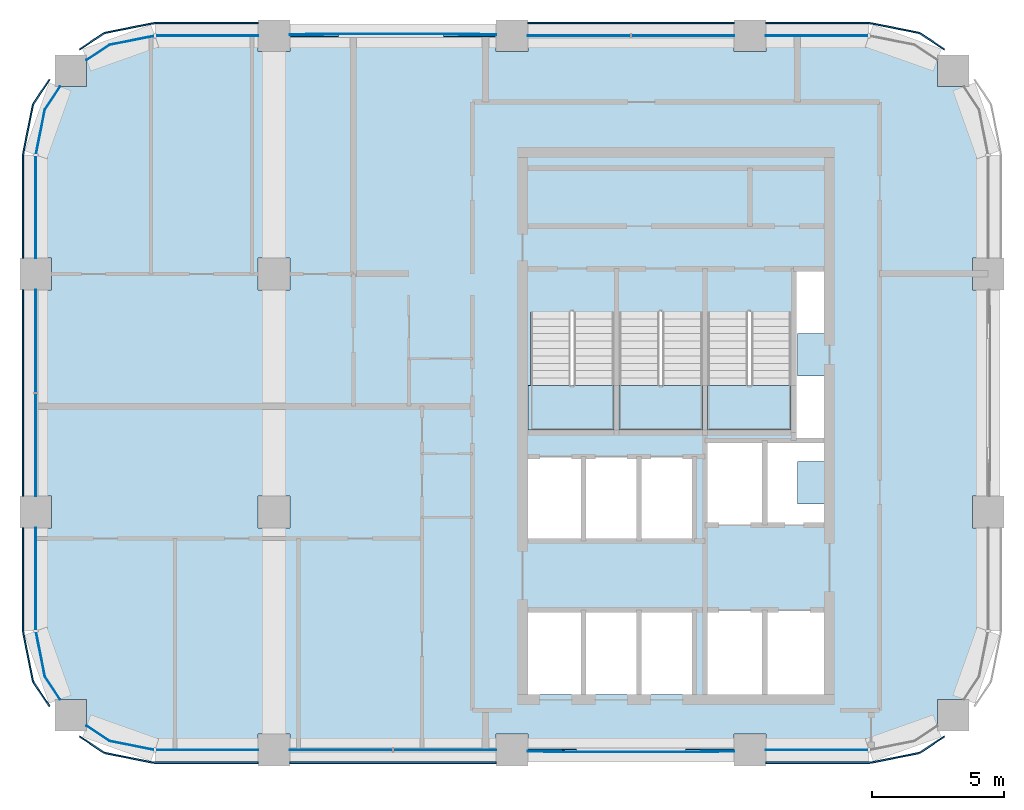
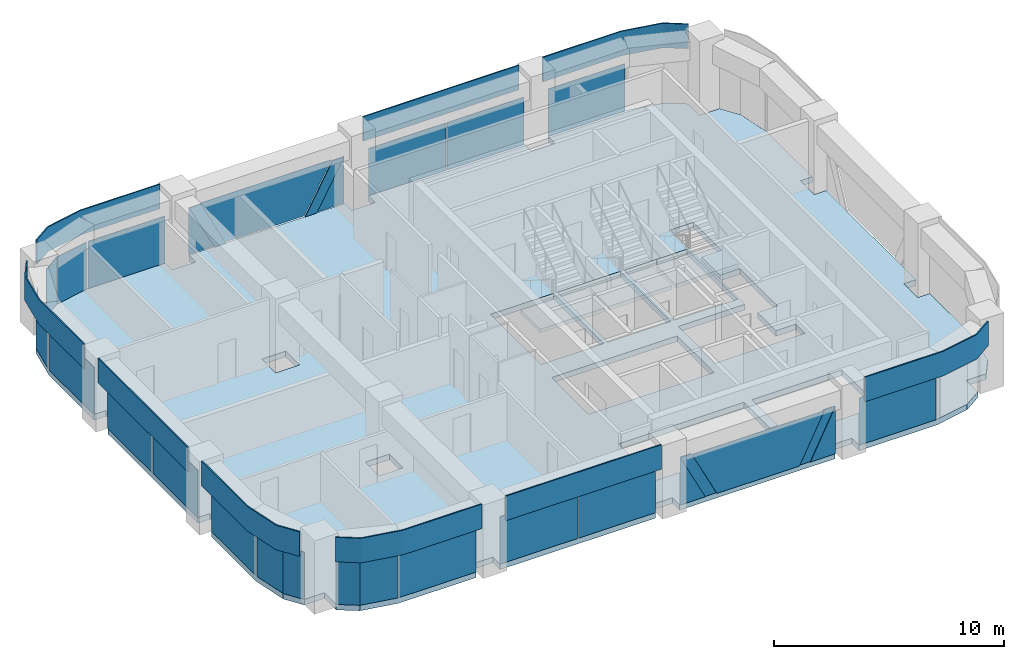
# One storey, part 5 of 9: 35 plates, 4 slabs, 14 elements without a shape of their own.
"""IFC4 building model written with IfcOpenShell, lengths in metres."""

import ifcopenshell
import ifcopenshell.guid

model = None  # the IFC model being written
_history = None  # IfcOwnerHistory: only IFC2X3 demands one
_inside = {}  # id of a spatial element -> (the spatial element, [elements in it])
_under = {}  # id of a project, library or spatial element -> (it, [spatial elements below it])
_declared = {}  # id of a project -> (the project, [libraries it declares])
_typed = {}  # id of a type object -> (the type object, [elements of that type])
_made_of = {}  # id of a material, layer set ... -> (it, [elements and type objects made of it])


def new_model(schema):
    """Start an empty IFC model of exactly this schema.

    Asked for "IFC4X3", IfcOpenShell would pick the latest addendum, in which some entities
    have other attributes; the version numbers below select the first issue.
    IFC2X3 requires an IfcOwnerHistory on every rooted entity: one is made here for all.
    """
    global model, _history
    if schema == "IFC4X3":
        model = ifcopenshell.file(schema_version=(4, 3, 0, 0))
    else:
        model = ifcopenshell.file(schema=schema)
    _inside.clear()
    _under.clear()
    _declared.clear()
    _typed.clear()
    _made_of.clear()
    _history = None
    if model.schema == "IFC2X3":
        org = make("IfcOrganization", Name="unknown")
        user = make(
            "IfcPersonAndOrganization",
            ThePerson=make("IfcPerson", FamilyName="unknown"),
            TheOrganization=org,
        )
        app = make(
            "IfcApplication",
            ApplicationDeveloper=org,
            Version="unknown",
            ApplicationFullName="unknown",
            ApplicationIdentifier="unknown",
        )
        _history = make(
            "IfcOwnerHistory",
            OwningUser=user,
            OwningApplication=app,
            ChangeAction="ADDED",
            CreationDate=0,
        )
    return model


def make(cls, **values):
    """One entity of the class cls with the attributes given. An attribute that is None is left unset."""
    return model.create_entity(
        cls, **{name: value for name, value in values.items() if value is not None}
    )


def rooted(cls, **values):
    """An entity with a GlobalId (a new one), such as an element, a storey or a relation."""
    return make(cls, GlobalId=ifcopenshell.guid.new(), OwnerHistory=_history, **values)


def si_unit(unit_type, name, prefix=None):
    """IfcSIUnit, for example si_unit("LENGTHUNIT", "METRE", prefix="MILLI")."""
    return make("IfcSIUnit", UnitType=unit_type, Prefix=prefix, Name=name)


def assignment(units):
    """IfcUnitAssignment: the units of a project."""
    return None if units is None else make("IfcUnitAssignment", Units=units)


def point(xyz):
    """IfcCartesianPoint."""
    return None if xyz is None else make("IfcCartesianPoint", Coordinates=xyz)


def direction(xyz):
    """IfcDirection."""
    return None if xyz is None else make("IfcDirection", DirectionRatios=xyz)


def frame(location, z_axis=None, x_axis=None):
    """IfcAxis2Placement3D, a coordinate frame: its origin and axes. An axis left out is left unset."""
    return make(
        "IfcAxis2Placement3D",
        Location=point(location),
        Axis=direction(z_axis),
        RefDirection=direction(x_axis),
    )


def frame_2d(location, x_axis=None):
    """IfcAxis2Placement2D, a coordinate frame in the plane: its origin and x axis."""
    return make(
        "IfcAxis2Placement2D", Location=point(location), RefDirection=direction(x_axis)
    )


def origin():
    """The frame at (0, 0, 0) with its axes left unset."""
    return frame((0.0, 0.0, 0.0))


def origin_2d():
    """The frame at (0, 0) in the plane with its x axis left unset."""
    return frame_2d((0.0, 0.0))


def place(relative_to, where):
    """IfcLocalPlacement: puts the frame where relative to a parent placement (None: the world)."""
    return make(
        "IfcLocalPlacement", PlacementRelTo=relative_to, RelativePlacement=where
    )


def context(
    kind, dimensions, precision=None, world=None, true_north=None, identifier=None
):
    """IfcGeometricRepresentationContext, for example the 3D "Model" context."""
    return make(
        "IfcGeometricRepresentationContext",
        ContextIdentifier=identifier,
        ContextType=kind,
        CoordinateSpaceDimension=dimensions,
        Precision=precision,
        WorldCoordinateSystem=world,
        TrueNorth=true_north,
    )


def subcontext(parent, identifier, kind, view, scale=None):
    """IfcGeometricRepresentationSubContext, for example "Body" below "Model"."""
    return make(
        "IfcGeometricRepresentationSubContext",
        ContextIdentifier=identifier,
        ContextType=kind,
        ParentContext=parent,
        TargetScale=scale,
        TargetView=view,
    )


def project(units=None, contexts=None):
    """IfcProject with its units and contexts."""
    return rooted(
        "IfcProject",
        Name="project",
        RepresentationContexts=contexts,
        UnitsInContext=assignment(units),
    )


def spatial(cls, under=None, at=None, **own):
    """A site, building, storey or space (cls), placed at a placement, below another one or the project."""
    s = rooted(cls, ObjectPlacement=at, **own)
    if under is not None:
        _under.setdefault(under.id(), (under, []))[1].append(s)
    return s


def polyline(points):
    """IfcPolyline through the points."""
    return make("IfcPolyline", Points=[point(p) for p in points])


def profile(cls, at=None, kind="AREA", **sizes):
    """A parametric profile (cls). Its sizes go by their IFC names, for example OverallWidth=200.0."""
    return make(cls, ProfileType=kind, Position=at, **sizes)


def rectangle(**sizes):
    """IfcRectangleProfileDef."""
    return profile("IfcRectangleProfileDef", **sizes)


def outline(outer, holes=None, kind="AREA"):
    """IfcArbitraryClosedProfileDef: a profile drawn as a closed curve; with holes, ...WithVoids."""
    if holes is None:
        return make("IfcArbitraryClosedProfileDef", ProfileType=kind, OuterCurve=outer)
    return make(
        "IfcArbitraryProfileDefWithVoids",
        ProfileType=kind,
        OuterCurve=outer,
        InnerCurves=holes,
    )


def extrude(swept, where, along, depth):
    """IfcExtrudedAreaSolid: the profile swept, set in the frame where, extruded along a direction by depth."""
    return make(
        "IfcExtrudedAreaSolid",
        SweptArea=swept,
        Position=where,
        ExtrudedDirection=direction(along),
        Depth=depth,
    )


def shape(context_of_items, identifier, shape_type, items):
    """IfcShapeRepresentation: the items that make up one representation, for example the "Body"."""
    return make(
        "IfcShapeRepresentation",
        ContextOfItems=context_of_items,
        RepresentationIdentifier=identifier,
        RepresentationType=shape_type,
        Items=items,
    )


def material(Name=None, Category=None):
    """IfcMaterial."""
    return make("IfcMaterial", Name=Name, Category=Category)


def layer(
    of_material, thickness, ventilated=None, Name=None, Category=None, Priority=None
):
    """IfcMaterialLayer: one layer of a wall or slab, of a material (None: an air gap)."""
    return make(
        "IfcMaterialLayer",
        Material=of_material,
        LayerThickness=thickness,
        IsVentilated=ventilated,
        Name=Name,
        Category=Category,
        Priority=Priority,
    )


def layer_set(layers, Name=None):
    """IfcMaterialLayerSet."""
    return make("IfcMaterialLayerSet", MaterialLayers=layers, LayerSetName=Name)


def made_of(thing, what):
    """Note that an element or type object is made of a material, layer set ...; save() writes the relation."""
    if what is not None:
        _made_of.setdefault(what.id(), (what, []))[1].append(thing)
    return thing


def type_object(cls, material=None, **own):
    """A type object (cls), such as IfcWallType, which elements share."""
    return made_of(rooted(cls, **own), material)


def element(
    cls,
    number,
    at=None,
    inside=None,
    cuts=None,
    type_object=None,
    material=None,
    context=None,
    identifier="Body",
    shape_type=None,
    held_by="IfcProductDefinitionShape",
    body=None,
    shapes=None,
    **own,
):
    """One element of the class cls, such as IfcWall. Its Tag is "e" and its number.

    at: its placement. inside: the storey or other place that contains it. cuts: it is an
    opening in that element (IfcRelVoidsElement). A single representation is given by context,
    identifier, shape_type and body (its items); several are given by shapes. held_by: the class
    of the entity that holds the representations. save() writes the other relations.
    """
    e = rooted(cls, Tag="e%d" % number, ObjectPlacement=at, **own)
    if body is not None:
        shapes = [shape(context, identifier, shape_type, body)]
    if shapes is not None:
        e.Representation = make(held_by, Representations=shapes)
    if inside is not None:
        _inside.setdefault(inside.id(), (inside, []))[1].append(e)
    if cuts is not None:
        rooted(
            "IfcRelVoidsElement", RelatingBuildingElement=cuts, RelatedOpeningElement=e
        )
    if type_object is not None:
        _typed.setdefault(type_object.id(), (type_object, []))[1].append(e)
    return made_of(e, material)


def aggregate(whole, parts):
    """IfcRelAggregates: a whole, such as a stair, and the parts it consists of."""
    return rooted("IfcRelAggregates", RelatingObject=whole, RelatedObjects=parts)


def save(model, path):
    """Write the relations noted so far, then the file.

    IfcRelAggregates (storeys below a building ...), IfcRelContainedInSpatialStructure (elements
    in a storey), IfcRelDefinesByType, IfcRelAssociatesMaterial and IfcRelDeclares: one each for
    every whole, place, type object, material and project.
    """
    for whole, parts in _under.values():
        aggregate(whole, parts)
    for where, things in _inside.values():
        rooted(
            "IfcRelContainedInSpatialStructure",
            RelatedElements=things,
            RelatingStructure=where,
        )
    for kind, things in _typed.values():
        rooted("IfcRelDefinesByType", RelatedObjects=things, RelatingType=kind)
    for what, things in _made_of.values():
        rooted("IfcRelAssociatesMaterial", RelatedObjects=things, RelatingMaterial=what)
    for by, libraries in _declared.values():
        rooted("IfcRelDeclares", RelatingContext=by, RelatedDefinitions=libraries)
    model.write(path)


model = new_model("IFC4")

# Units and contexts
model_context = context("Model", 3, precision=1e-05, world=origin(), true_north=direction((0.0, 1.0)))
body_context = subcontext(model_context, "Body", "Model", "MODEL_VIEW")
ifc_project = project(units=[si_unit("LENGTHUNIT", "METRE"), si_unit("AREAUNIT", "SQUARE_METRE"), si_unit("VOLUMEUNIT", "CUBIC_METRE"), si_unit("PLANEANGLEUNIT", "RADIAN"), si_unit("MASSUNIT", "GRAM", prefix="KILO")], contexts=[model_context])

# Site, building, storey
site_placement = place(None, origin())
site = spatial("IfcSite", under=ifc_project, at=site_placement, CompositionType="ELEMENT")
building_placement = place(site_placement, origin())
building = spatial("IfcBuilding", under=site, at=building_placement, Name="Tessera Arch", CompositionType="ELEMENT")
storey_placement = place(building_placement, frame((0.0, 0.0, 246.199951171875)))
storey = spatial("IfcBuildingStorey", under=building, at=storey_placement, Name="L59", CompositionType="ELEMENT", Elevation=246.199951171875)

# Curtain wall, plates
ifc_material_1 = material(Name="CW1 curtain wall")
curtain_wall_type_1 = type_object("IfcCurtainWallType", Name="CW1 curtain wall", PredefinedType="NOTDEFINED", material=ifc_material_1)
curtain_wall_1_placement = place(storey_placement, origin())
curtain_wall_1 = element("IfcCurtainWall", 1, at=curtain_wall_1_placement, inside=storey, type_object=curtain_wall_type_1, Name="CW1 curtain wall N54.18/1 L59", PredefinedType="NOTDEFINED")
ifc_material_2 = material(Name="Clear low-e glass", Category="glass")
ifc_material_3 = material(Name="Clear low-e glass", Category="glass")
ifc_layer_1 = layer(ifc_material_3, 0.028076171875)
ifc_layer_set_1 = layer_set([ifc_layer_1], Name="CW1 glass panel")
plate_type_1 = type_object("IfcPlateType", Name="CW1 glass panel", PredefinedType="CURTAIN_PANEL", material=ifc_layer_set_1)
plate_1_placement = place(storey_placement, frame((42.465087890625, 54.0, 0.0), z_axis=(0.0, 0.0, 1.0), x_axis=(-1.0, 0.0, 0.0)))
plate_1 = element("IfcPlate", 2, at=plate_1_placement, type_object=plate_type_1, material=ifc_material_2, Name="CW1 glass panel N54.18/1 1.1.1", PredefinedType="CURTAIN_PANEL", context=body_context, shape_type="SweptSolid", body=[
    extrude(rectangle(XDim=3.8701171875, YDim=0.028076171875, at=origin_2d()), origin(), (0.0, 0.0, 1.0), 2.5),
])
plate_2_placement = place(storey_placement, frame((38.534912109375, 54.0, 0.0), z_axis=(0.0, 0.0, 1.0), x_axis=(-1.0, 0.0, 0.0)))
plate_2 = element("IfcPlate", 3, at=plate_2_placement, type_object=plate_type_1, material=ifc_material_2, Name="CW1 glass panel N54.18/1 1.2.1", PredefinedType="CURTAIN_PANEL", context=body_context, shape_type="SweptSolid", body=[
    extrude(rectangle(XDim=3.8701171875, YDim=0.028076171875, at=origin_2d()), origin(), (0.0, 0.0, 1.0), 2.5),
])

curtain_wall_2_placement = place(storey_placement, origin())
curtain_wall_2 = element("IfcCurtainWall", 4, at=curtain_wall_2_placement, inside=storey, type_object=curtain_wall_type_1, Name="CW1 curtain wall W18.27/1 L59", PredefinedType="NOTDEFINED")
plate_3_placement = place(storey_placement, frame((18.0, 42.465087890625, 0.0), z_axis=(0.0, 0.0, 1.0), x_axis=(0.0, -1.0, 0.0)))
plate_3 = element("IfcPlate", 5, at=plate_3_placement, type_object=plate_type_1, material=ifc_material_2, Name="CW1 glass panel W18.27/1 1.1.1", PredefinedType="CURTAIN_PANEL", context=body_context, shape_type="SweptSolid", body=[
    extrude(rectangle(XDim=3.8701171875, YDim=0.028076171875, at=origin_2d()), origin(), (0.0, 0.0, 1.0), 2.5),
])
plate_4_placement = place(storey_placement, frame((18.0, 38.534912109375, 0.0), z_axis=(0.0, 0.0, 1.0), x_axis=(0.0, -1.0, 0.0)))
plate_4 = element("IfcPlate", 6, at=plate_4_placement, type_object=plate_type_1, material=ifc_material_2, Name="CW1 glass panel W18.27/1 1.2.1", PredefinedType="CURTAIN_PANEL", context=body_context, shape_type="SweptSolid", body=[
    extrude(rectangle(XDim=3.8701171875, YDim=0.028076171875, at=origin_2d()), origin(), (0.0, 0.0, 1.0), 2.5),
])

curtain_wall_3_placement = place(storey_placement, origin())
curtain_wall_3 = element("IfcCurtainWall", 7, at=curtain_wall_3_placement, inside=storey, type_object=curtain_wall_type_1, Name="CW1 curtain wall S27.18/1 L59", PredefinedType="NOTDEFINED")
plate_5_placement = place(storey_placement, frame((29.534912109375, 27.0, 0.0), z_axis=(0.0, 0.0, 1.0), x_axis=(1.0, 0.0, 0.0)))
plate_5 = element("IfcPlate", 8, at=plate_5_placement, type_object=plate_type_1, material=ifc_material_2, Name="CW1 glass panel S27.18/1 1.1.1", PredefinedType="CURTAIN_PANEL", context=body_context, shape_type="SweptSolid", body=[
    extrude(rectangle(XDim=3.8701171875, YDim=0.028076171875, at=origin_2d()), origin(), (0.0, 0.0, 1.0), 2.5),
])
plate_6_placement = place(storey_placement, frame((33.465087890625, 27.0, 0.0), z_axis=(0.0, 0.0, 1.0), x_axis=(1.0, 0.0, 0.0)))
plate_6 = element("IfcPlate", 9, at=plate_6_placement, type_object=plate_type_1, material=ifc_material_2, Name="CW1 glass panel S27.18/1 1.2.1", PredefinedType="CURTAIN_PANEL", context=body_context, shape_type="SweptSolid", body=[
    extrude(rectangle(XDim=3.8701171875, YDim=0.028076171875, at=origin_2d()), origin(), (0.0, 0.0, 1.0), 2.5),
])

# Plate
ifc_material_4 = material(Name="Pale anodised aluminium panel", Category="aluminium")
ifc_layer_2 = layer(ifc_material_4, 0.06005859375)
ifc_layer_set_2 = layer_set([ifc_layer_2], Name="CW1 spandrel panel")
plate_type_2 = type_object("IfcPlateType", Name="CW1 spandrel panel", PredefinedType="CURTAIN_PANEL", material=ifc_layer_set_2)
plate_7_placement = place(storey_placement, frame((40.5, 54.47998046875, 2.60009765625), z_axis=(0.0, 0.0, 1.0), x_axis=(-1.0, 0.0, 0.0)))
plate_7 = element("IfcPlate", 10, at=plate_7_placement, type_object=plate_type_2, Name="CW1 spandrel panel N54.18/1", PredefinedType="CURTAIN_PANEL", context=body_context, shape_type="SweptSolid", body=[
    extrude(rectangle(XDim=7.800048828125, YDim=0.06005859375, at=origin_2d()), origin(), (0.0, 0.0, 1.0), 1.300048828125),
])

aggregate(curtain_wall_1, [plate_1, plate_2, plate_7])

plate_8_placement = place(storey_placement, frame((17.52001953125, 40.5, 2.60009765625), z_axis=(0.0, 0.0, 1.0), x_axis=(0.0, -1.0, 0.0)))
plate_8 = element("IfcPlate", 11, at=plate_8_placement, type_object=plate_type_2, Name="CW1 spandrel panel W18.27/1", PredefinedType="CURTAIN_PANEL", context=body_context, shape_type="SweptSolid", body=[
    extrude(rectangle(XDim=7.800048828125, YDim=0.06005859375, at=origin_2d()), origin(), (0.0, 0.0, 1.0), 1.300048828125),
])

aggregate(curtain_wall_2, [plate_3, plate_4, plate_8])

plate_9_placement = place(storey_placement, frame((31.5, 26.52001953125, 2.60009765625), z_axis=(0.0, 0.0, 1.0), x_axis=(1.0, 0.0, 0.0)))
plate_9 = element("IfcPlate", 12, at=plate_9_placement, type_object=plate_type_2, Name="CW1 spandrel panel S27.18/1", PredefinedType="CURTAIN_PANEL", context=body_context, shape_type="SweptSolid", body=[
    extrude(rectangle(XDim=7.800048828125, YDim=0.06005859375, at=origin_2d()), origin(), (0.0, 0.0, 1.0), 1.300048828125),
])

aggregate(curtain_wall_3, [plate_5, plate_6, plate_9])

# Curtain wall, plate
ifc_material_5 = material(Name="CW2 curtain wall")
curtain_wall_type_2 = type_object("IfcCurtainWallType", Name="CW2 curtain wall", PredefinedType="NOTDEFINED", material=ifc_material_5)
curtain_wall_4_placement = place(storey_placement, origin())
curtain_wall_4 = element("IfcCurtainWall", 13, at=curtain_wall_4_placement, inside=storey, type_object=curtain_wall_type_2, Name="CW2 curtain wall N54.18/0 L59", PredefinedType="NOTDEFINED")
ifc_material_6 = material(Name="Clear low-e glass", Category="glass")
ifc_layer_3 = layer(ifc_material_6, 0.028076171875)
ifc_layer_set_3 = layer_set([ifc_layer_3], Name="CW2 glass panel")
plate_type_3 = type_object("IfcPlateType", Name="CW2 glass panel", PredefinedType="CURTAIN_PANEL", material=ifc_layer_set_3)
plate_10_placement = place(storey_placement, frame((47.530029296875, 54.0, 0.0), z_axis=(0.0, 0.0, 1.0), x_axis=(-1.0, 0.0, 0.0)))
plate_10 = element("IfcPlate", 14, at=plate_10_placement, type_object=plate_type_3, material=ifc_material_2, Name="CW2 glass panel N54.18/0 1.1", PredefinedType="CURTAIN_PANEL", context=body_context, shape_type="SweptSolid", body=[
    extrude(rectangle(XDim=3.860107421875, YDim=0.028076171875, at=origin_2d()), origin(), (0.0, 0.0, 1.0), 2.5),
])

# Curtain wall, plates
curtain_wall_5_placement = place(storey_placement, origin())
curtain_wall_5 = element("IfcCurtainWall", 15, at=curtain_wall_5_placement, inside=storey, type_object=curtain_wall_type_2, Name="CW2 curtain wall N54.18/3 L59", PredefinedType="NOTDEFINED")
plate_11_placement = place(storey_placement, frame((24.469970703125, 54.0, 0.0), z_axis=(0.0, 0.0, 1.0), x_axis=(-1.0, 0.0, 0.0)))
plate_11 = element("IfcPlate", 16, at=plate_11_placement, type_object=plate_type_3, material=ifc_material_2, Name="CW2 glass panel N54.18/3 1.1", PredefinedType="CURTAIN_PANEL", context=body_context, shape_type="SweptSolid", body=[
    extrude(rectangle(XDim=3.860107421875, YDim=0.028076171875, at=origin_2d()), origin(), (0.0, 0.0, 1.0), 2.5),
])
plate_12_placement = place(storey_placement, origin())
plate_12 = element("IfcPlate", 17, at=plate_12_placement, type_object=plate_type_3, material=ifc_material_2, Name="CW2 curved glass panel N54.18/3 2.1", PredefinedType="CURTAIN_PANEL", context=body_context, shape_type="SweptSolid", body=[
    extrude(outline(polyline([(20.783447265625, 53.644287109375), (22.46337890625, 53.978515625), (22.4580078125, 54.005859375), (20.7724609375, 53.670654296875), (19.91015625, 53.094482421875), (19.92578125, 53.0712890625), (20.783447265625, 53.644287109375)])), origin(), (0.0, 0.0, 1.0), 2.5),
])

curtain_wall_6_placement = place(storey_placement, origin())
curtain_wall_6 = element("IfcCurtainWall", 18, at=curtain_wall_6_placement, inside=storey, type_object=curtain_wall_type_2, Name="CW2 curtain wall W18.27/0 L59", PredefinedType="NOTDEFINED")
plate_13_placement = place(storey_placement, frame((18.0, 47.530029296875, 0.0), z_axis=(0.0, 0.0, 1.0), x_axis=(0.0, -1.0, 0.0)))
plate_13 = element("IfcPlate", 19, at=plate_13_placement, type_object=plate_type_3, material=ifc_material_2, Name="CW2 glass panel W18.27/0 1.1", PredefinedType="CURTAIN_PANEL", context=body_context, shape_type="SweptSolid", body=[
    extrude(rectangle(XDim=3.860107421875, YDim=0.028076171875, at=origin_2d()), origin(), (0.0, 0.0, 1.0), 2.5),
])
plate_14_placement = place(storey_placement, origin())
plate_14 = element("IfcPlate", 20, at=plate_14_placement, type_object=plate_type_3, material=ifc_material_2, Name="CW2 curved glass panel W18.27/0 2.1", PredefinedType="CURTAIN_PANEL", context=body_context, shape_type="SweptSolid", body=[
    extrude(outline(polyline([(18.355712890625, 51.216552734375), (18.9287109375, 52.07421875), (18.905517578125, 52.08984375), (18.329345703125, 51.2275390625), (17.994140625, 49.5419921875), (18.021484375, 49.53662109375), (18.355712890625, 51.216552734375)])), origin(), (0.0, 0.0, 1.0), 2.5),
])

curtain_wall_7_placement = place(storey_placement, origin())
curtain_wall_7 = element("IfcCurtainWall", 21, at=curtain_wall_7_placement, inside=storey, type_object=curtain_wall_type_2, Name="CW2 curtain wall W18.27/2 L59", PredefinedType="NOTDEFINED")
plate_15_placement = place(storey_placement, frame((18.0, 33.469970703125, 0.0), z_axis=(0.0, 0.0, 1.0), x_axis=(0.0, -1.0, 0.0)))
plate_15 = element("IfcPlate", 22, at=plate_15_placement, type_object=plate_type_3, material=ifc_material_2, Name="CW2 glass panel W18.27/2 1.1", PredefinedType="CURTAIN_PANEL", context=body_context, shape_type="SweptSolid", body=[
    extrude(rectangle(XDim=3.860107421875, YDim=0.028076171875, at=origin_2d()), origin(), (0.0, 0.0, 1.0), 2.5),
])
plate_16_placement = place(storey_placement, origin())
plate_16 = element("IfcPlate", 23, at=plate_16_placement, type_object=plate_type_3, material=ifc_material_2, Name="CW2 curved glass panel W18.27/2 2.1", PredefinedType="CURTAIN_PANEL", context=body_context, shape_type="SweptSolid", body=[
    extrude(outline(polyline([(18.355712890625, 29.783447265625), (18.021484375, 31.46337890625), (17.994140625, 31.4580078125), (18.329345703125, 29.7724609375), (18.905517578125, 28.91015625), (18.9287109375, 28.92578125), (18.355712890625, 29.783447265625)])), origin(), (0.0, 0.0, 1.0), 2.5),
])

curtain_wall_8_placement = place(storey_placement, origin())
curtain_wall_8 = element("IfcCurtainWall", 24, at=curtain_wall_8_placement, inside=storey, type_object=curtain_wall_type_2, Name="CW2 curtain wall S27.18/0 L59", PredefinedType="NOTDEFINED")
plate_17_placement = place(storey_placement, frame((24.469970703125, 27.0, 0.0), z_axis=(0.0, 0.0, 1.0), x_axis=(1.0, 0.0, 0.0)))
plate_17 = element("IfcPlate", 25, at=plate_17_placement, type_object=plate_type_3, material=ifc_material_2, Name="CW2 glass panel S27.18/0 1.1", PredefinedType="CURTAIN_PANEL", context=body_context, shape_type="SweptSolid", body=[
    extrude(rectangle(XDim=3.860107421875, YDim=0.028076171875, at=origin_2d()), origin(), (0.0, 0.0, 1.0), 2.5),
])
plate_18_placement = place(storey_placement, origin())
plate_18 = element("IfcPlate", 26, at=plate_18_placement, type_object=plate_type_3, material=ifc_material_2, Name="CW2 curved glass panel S27.18/0 2.1", PredefinedType="CURTAIN_PANEL", context=body_context, shape_type="SweptSolid", body=[
    extrude(outline(polyline([(20.783447265625, 27.355712890625), (19.92578125, 27.9287109375), (19.91015625, 27.905517578125), (20.7724609375, 27.329345703125), (22.4580078125, 26.994140625), (22.46337890625, 27.021484375), (20.783447265625, 27.355712890625)])), origin(), (0.0, 0.0, 1.0), 2.5),
])

# Curtain wall, plate
curtain_wall_9_placement = place(storey_placement, origin())
curtain_wall_9 = element("IfcCurtainWall", 27, at=curtain_wall_9_placement, inside=storey, type_object=curtain_wall_type_2, Name="CW2 curtain wall S27.18/3 L59", PredefinedType="NOTDEFINED")
plate_19_placement = place(storey_placement, frame((47.530029296875, 27.0, 0.0), z_axis=(0.0, 0.0, 1.0), x_axis=(1.0, 0.0, 0.0)))
plate_19 = element("IfcPlate", 28, at=plate_19_placement, type_object=plate_type_3, material=ifc_material_2, Name="CW2 glass panel S27.18/3 1.1", PredefinedType="CURTAIN_PANEL", context=body_context, shape_type="SweptSolid", body=[
    extrude(rectangle(XDim=3.860107421875, YDim=0.028076171875, at=origin_2d()), origin(), (0.0, 0.0, 1.0), 2.5),
])

# Plate
ifc_material_7 = material(Name="Pale anodised aluminium panel", Category="aluminium")
ifc_layer_4 = layer(ifc_material_7, 0.06005859375)
ifc_layer_set_4 = layer_set([ifc_layer_4], Name="CW2 spandrel panel")
plate_type_4 = type_object("IfcPlateType", Name="CW2 spandrel panel", PredefinedType="CURTAIN_PANEL", material=ifc_layer_set_4)
plate_20_placement = place(storey_placement, frame((0.0, 0.0, 2.60009765625)))
plate_20 = element("IfcPlate", 29, at=plate_20_placement, type_object=plate_type_4, Name="CW2 spandrel panel N54.18/0", PredefinedType="CURTAIN_PANEL", context=body_context, shape_type="SweptSolid", body=[
    extrude(outline(polyline([(51.47265625, 54.03125), (52.33203125, 53.45703125), (52.365234375, 53.5068359375), (51.5048828125, 54.08203125), (51.462646484375, 54.107421875), (51.417236328125, 54.128662109375), (51.3701171875, 54.1455078125), (51.322265625, 54.157470703125), (49.598876953125, 54.500244140625), (49.550048828125, 54.507568359375), (49.500732421875, 54.510009765625), (45.60009765625, 54.510009765625), (45.60009765625, 54.449951171875), (49.499267578125, 54.449951171875), (49.544189453125, 54.44775390625), (49.588623046875, 54.441162109375), (51.30908203125, 54.09912109375), (51.352783203125, 54.088134765625), (51.394287109375, 54.0732421875), (51.434326171875, 54.054443359375), (51.47265625, 54.03125)])), origin(), (0.0, 0.0, 1.0), 1.300048828125),
])

aggregate(curtain_wall_4, [plate_10, plate_20])

plate_21_placement = place(storey_placement, frame((0.0, 0.0, 2.60009765625)))
plate_21 = element("IfcPlate", 30, at=plate_21_placement, type_object=plate_type_4, Name="CW2 spandrel panel N54.18/3", PredefinedType="CURTAIN_PANEL", context=body_context, shape_type="SweptSolid", body=[
    extrude(outline(polyline([(22.500732421875, 54.449951171875), (26.39990234375, 54.449951171875), (26.39990234375, 54.510009765625), (22.499267578125, 54.510009765625), (22.449951171875, 54.507568359375), (22.401123046875, 54.500244140625), (20.677734375, 54.157470703125), (20.6298828125, 54.1455078125), (20.582763671875, 54.128662109375), (20.537353515625, 54.107421875), (20.4951171875, 54.08203125), (19.634765625, 53.5068359375), (19.66796875, 53.45703125), (20.52734375, 54.03125), (20.565673828125, 54.054443359375), (20.605712890625, 54.0732421875), (20.647216796875, 54.088134765625), (20.69091796875, 54.09912109375), (22.411376953125, 54.441162109375), (22.455810546875, 54.44775390625), (22.500732421875, 54.449951171875)])), origin(), (0.0, 0.0, 1.0), 1.300048828125),
])

aggregate(curtain_wall_5, [plate_11, plate_12, plate_21])

plate_22_placement = place(storey_placement, frame((0.0, 0.0, 2.60009765625)))
plate_22 = element("IfcPlate", 31, at=plate_22_placement, type_object=plate_type_4, Name="CW2 spandrel panel W18.27/0", PredefinedType="CURTAIN_PANEL", context=body_context, shape_type="SweptSolid", body=[
    extrude(outline(polyline([(17.96875, 51.47265625), (18.54296875, 52.33203125), (18.4931640625, 52.365234375), (17.91796875, 51.5048828125), (17.892578125, 51.462646484375), (17.871337890625, 51.417236328125), (17.8544921875, 51.3701171875), (17.842529296875, 51.322265625), (17.499755859375, 49.598876953125), (17.492431640625, 49.550048828125), (17.489990234375, 49.500732421875), (17.489990234375, 45.60009765625), (17.550048828125, 45.60009765625), (17.550048828125, 49.499267578125), (17.55224609375, 49.544189453125), (17.558837890625, 49.588623046875), (17.90087890625, 51.30908203125), (17.911865234375, 51.352783203125), (17.9267578125, 51.394287109375), (17.945556640625, 51.434326171875), (17.96875, 51.47265625)])), origin(), (0.0, 0.0, 1.0), 1.300048828125),
])

aggregate(curtain_wall_6, [plate_13, plate_14, plate_22])

plate_23_placement = place(storey_placement, frame((0.0, 0.0, 2.60009765625)))
plate_23 = element("IfcPlate", 32, at=plate_23_placement, type_object=plate_type_4, Name="CW2 spandrel panel W18.27/2", PredefinedType="CURTAIN_PANEL", context=body_context, shape_type="SweptSolid", body=[
    extrude(outline(polyline([(17.550048828125, 31.500732421875), (17.550048828125, 35.39990234375), (17.489990234375, 35.39990234375), (17.489990234375, 31.499267578125), (17.492431640625, 31.449951171875), (17.499755859375, 31.401123046875), (17.842529296875, 29.677734375), (17.8544921875, 29.6298828125), (17.871337890625, 29.582763671875), (17.892578125, 29.537353515625), (17.91796875, 29.4951171875), (18.4931640625, 28.634765625), (18.54296875, 28.66796875), (17.96875, 29.52734375), (17.945556640625, 29.565673828125), (17.9267578125, 29.605712890625), (17.911865234375, 29.647216796875), (17.90087890625, 29.69091796875), (17.558837890625, 31.411376953125), (17.55224609375, 31.455810546875), (17.550048828125, 31.500732421875)])), origin(), (0.0, 0.0, 1.0), 1.300048828125),
])

aggregate(curtain_wall_7, [plate_15, plate_16, plate_23])

plate_24_placement = place(storey_placement, frame((0.0, 0.0, 2.60009765625)))
plate_24 = element("IfcPlate", 33, at=plate_24_placement, type_object=plate_type_4, Name="CW2 spandrel panel S27.18/0", PredefinedType="CURTAIN_PANEL", context=body_context, shape_type="SweptSolid", body=[
    extrude(outline(polyline([(20.52734375, 26.96875), (19.66796875, 27.54296875), (19.634765625, 27.4931640625), (20.4951171875, 26.91796875), (20.537353515625, 26.892578125), (20.582763671875, 26.871337890625), (20.6298828125, 26.8544921875), (20.677734375, 26.842529296875), (22.401123046875, 26.499755859375), (22.449951171875, 26.492431640625), (22.499267578125, 26.489990234375), (26.39990234375, 26.489990234375), (26.39990234375, 26.550048828125), (22.500732421875, 26.550048828125), (22.455810546875, 26.55224609375), (22.411376953125, 26.558837890625), (20.69091796875, 26.90087890625), (20.647216796875, 26.911865234375), (20.605712890625, 26.9267578125), (20.565673828125, 26.945556640625), (20.52734375, 26.96875)])), origin(), (0.0, 0.0, 1.0), 1.300048828125),
])

aggregate(curtain_wall_8, [plate_17, plate_18, plate_24])

plate_25_placement = place(storey_placement, frame((0.0, 0.0, 2.60009765625)))
plate_25 = element("IfcPlate", 34, at=plate_25_placement, type_object=plate_type_4, Name="CW2 spandrel panel S27.18/3", PredefinedType="CURTAIN_PANEL", context=body_context, shape_type="SweptSolid", body=[
    extrude(outline(polyline([(49.499267578125, 26.550048828125), (45.60009765625, 26.550048828125), (45.60009765625, 26.489990234375), (49.500732421875, 26.489990234375), (49.550048828125, 26.492431640625), (49.598876953125, 26.499755859375), (51.322265625, 26.842529296875), (51.3701171875, 26.8544921875), (51.417236328125, 26.871337890625), (51.462646484375, 26.892578125), (51.5048828125, 26.91796875), (52.365234375, 27.4931640625), (52.33203125, 27.54296875), (51.47265625, 26.96875), (51.434326171875, 26.945556640625), (51.394287109375, 26.9267578125), (51.352783203125, 26.911865234375), (51.30908203125, 26.90087890625), (49.588623046875, 26.558837890625), (49.544189453125, 26.55224609375), (49.499267578125, 26.550048828125)])), origin(), (0.0, 0.0, 1.0), 1.300048828125),
])

aggregate(curtain_wall_9, [plate_19, plate_25])

# Curtain wall, plates
ifc_material_8 = material(Name="CW3 curtain wall")
curtain_wall_type_3 = type_object("IfcCurtainWallType", Name="CW3 curtain wall", PredefinedType="NOTDEFINED", material=ifc_material_8)
curtain_wall_10_placement = place(storey_placement, origin())
curtain_wall_10 = element("IfcCurtainWall", 35, at=curtain_wall_10_placement, inside=storey, type_object=curtain_wall_type_3, Name="CW3 curtain wall N54.18/2 L59", PredefinedType="NOTDEFINED")
ifc_material_9 = material(Name="Pale anodised aluminium panel", Category="aluminium")
ifc_layer_5 = layer(ifc_material_9, 0.06005859375)
ifc_layer_set_5 = layer_set([ifc_layer_5], Name="CW3 diagonal panel")
plate_type_5 = type_object("IfcPlateType", Name="CW3 diagonal panel", PredefinedType="CURTAIN_PANEL", material=ifc_layer_set_5)
plate_26_placement = place(storey_placement, frame((27.61767578125, 54.030029296875, 2.5), z_axis=(0.0, 1.0, 0.0), x_axis=(1.0, 0.0, 0.0)))
plate_26 = element("IfcPlate", 36, at=plate_26_placement, type_object=plate_type_5, Name="CW3 diagonal panel N54.18/2 1", PredefinedType="CURTAIN_PANEL", context=body_context, shape_type="SweptSolid", body=[
    extrude(outline(polyline([(0.0, 0.0), (0.564697265625, 0.0), (1.814697265625, 2.5), (1.25, 2.5), (0.0, 0.0)])), origin(), (0.0, 0.0, -1.0), 0.06005859375),
])
plate_27_placement = place(storey_placement, frame((34.784423828125, 54.030029296875, 2.5), z_axis=(0.0, 1.0, 0.0), x_axis=(1.0, 0.0, 0.0)))
plate_27 = element("IfcPlate", 37, at=plate_27_placement, type_object=plate_type_5, Name="CW3 diagonal panel N54.18/2 2", PredefinedType="CURTAIN_PANEL", context=body_context, shape_type="SweptSolid", body=[
    extrude(outline(polyline([(0.0, 0.0), (0.575439453125, 0.0), (-0.790283203125, 2.5), (-1.36572265625, 2.5), (0.0, 0.0)])), origin(), (0.0, 0.0, -1.0), 0.06005859375),
])

curtain_wall_11_placement = place(storey_placement, origin())
curtain_wall_11 = element("IfcCurtainWall", 38, at=curtain_wall_11_placement, inside=storey, type_object=curtain_wall_type_3, Name="CW3 curtain wall S27.18/2 L59", PredefinedType="NOTDEFINED")
plate_28_placement = place(storey_placement, frame((44.38232421875, 26.969970703125, 2.5), z_axis=(0.0, -1.0, 0.0), x_axis=(-1.0, 0.0, 0.0)))
plate_28 = element("IfcPlate", 39, at=plate_28_placement, type_object=plate_type_5, Name="CW3 diagonal panel S27.18/2 1", PredefinedType="CURTAIN_PANEL", context=body_context, shape_type="SweptSolid", body=[
    extrude(outline(polyline([(0.0, 0.0), (0.564697265625, 0.0), (1.814697265625, 2.5), (1.25, 2.5), (0.0, 0.0)])), origin(), (0.0, 0.0, -1.0), 0.06005859375),
])
plate_29_placement = place(storey_placement, frame((37.182373046875, 26.969970703125, 2.5), z_axis=(0.0, -1.0, 0.0), x_axis=(-1.0, 0.0, 0.0)))
plate_29 = element("IfcPlate", 40, at=plate_29_placement, type_object=plate_type_5, Name="CW3 diagonal panel S27.18/2 2", PredefinedType="CURTAIN_PANEL", context=body_context, shape_type="SweptSolid", body=[
    extrude(outline(polyline([(0.0, 0.0), (0.564697265625, 0.0), (-0.685302734375, 2.5), (-1.25, 2.5), (0.0, 0.0)])), origin(), (0.0, 0.0, -1.0), 0.06005859375),
])

# Plate
ifc_material_10 = material(Name="Clear low-e glass", Category="glass")
ifc_layer_6 = layer(ifc_material_10, 0.028076171875)
ifc_layer_set_6 = layer_set([ifc_layer_6], Name="CW3 glass panel")
plate_type_6 = type_object("IfcPlateType", Name="CW3 glass panel", PredefinedType="CURTAIN_PANEL", material=ifc_layer_set_6)
plate_30_placement = place(storey_placement, frame((35.39990234375, 54.05810546875, 0.0), z_axis=(0.0, 1.0, 0.0), x_axis=(-1.0, 0.0, 0.0)))
plate_30 = element("IfcPlate", 41, at=plate_30_placement, type_object=plate_type_6, material=ifc_material_2, Name="CW3 triangulated glass panel N54.18/2 1", PredefinedType="CURTAIN_PANEL", context=body_context, shape_type="SweptSolid", body=[
    extrude(outline(polyline([(0.0, 0.0), (1.40576171875, 0.0), (0.0400390625, 2.5), (0.0, 2.5), (0.0, 0.0)])), origin(), (0.0, 0.0, -1.0), 0.028076171875),
])

plate_31_placement = place(storey_placement, frame((28.182373046875, 54.0859375, 2.5), z_axis=(0.0, 1.0, 0.0), x_axis=(1.0, 0.0, 0.0)))
plate_31 = element("IfcPlate", 42, at=plate_31_placement, type_object=plate_type_6, material=ifc_material_2, Name="CW3 triangulated glass panel N54.18/2 2", PredefinedType="CURTAIN_PANEL", context=body_context, shape_type="SweptSolid", body=[
    extrude(outline(polyline([(0.0, 0.0), (6.60205078125, 0.0), (5.236328125, 2.5), (1.25, 2.5), (0.0, 0.0)])), origin(), (0.0, 0.0, -1.0), 0.028076171875),
])

plate_32_placement = place(storey_placement, frame((27.60009765625, 54.05810546875, 2.5), z_axis=(0.0, 1.0, 0.0), x_axis=(1.0, 0.0, 0.0)))
plate_32 = element("IfcPlate", 43, at=plate_32_placement, type_object=plate_type_6, material=ifc_material_2, Name="CW3 triangulated glass panel N54.18/2 3", PredefinedType="CURTAIN_PANEL", context=body_context, shape_type="SweptSolid", body=[
    extrude(outline(polyline([(0.0, 0.0), (0.017578125, 0.0), (1.267578125, 2.5), (0.0, 2.5), (0.0, 0.0)])), origin(), (0.0, 0.0, -1.0), 0.028076171875),
])

aggregate(curtain_wall_10, [plate_30, plate_31, plate_32, plate_26, plate_27])

plate_33_placement = place(storey_placement, frame((36.60009765625, 26.94189453125, 0.0), z_axis=(0.0, -1.0, 0.0), x_axis=(1.0, 0.0, 0.0)))
plate_33 = element("IfcPlate", 44, at=plate_33_placement, type_object=plate_type_6, material=ifc_material_2, Name="CW3 triangulated glass panel S27.18/2 1", PredefinedType="CURTAIN_PANEL", context=body_context, shape_type="SweptSolid", body=[
    extrude(outline(polyline([(0.0, 0.0), (1.267578125, 0.0), (0.017578125, 2.5), (0.0, 2.5), (0.0, 0.0)])), origin(), (0.0, 0.0, -1.0), 0.028076171875),
])

plate_34_placement = place(storey_placement, frame((43.817626953125, 26.9140625, 2.5), z_axis=(0.0, -1.0, 0.0), x_axis=(-1.0, 0.0, 0.0)))
plate_34 = element("IfcPlate", 45, at=plate_34_placement, type_object=plate_type_6, material=ifc_material_2, Name="CW3 triangulated glass panel S27.18/2 2", PredefinedType="CURTAIN_PANEL", context=body_context, shape_type="SweptSolid", body=[
    extrude(outline(polyline([(0.0, 0.0), (6.63525390625, 0.0), (5.38525390625, 2.5), (1.25, 2.5), (0.0, 0.0)])), origin(), (0.0, 0.0, -1.0), 0.028076171875),
])

plate_35_placement = place(storey_placement, frame((44.39990234375, 26.94189453125, 2.5), z_axis=(0.0, -1.0, 0.0), x_axis=(-1.0, 0.0, 0.0)))
plate_35 = element("IfcPlate", 46, at=plate_35_placement, type_object=plate_type_6, material=ifc_material_2, Name="CW3 triangulated glass panel S27.18/2 3", PredefinedType="CURTAIN_PANEL", context=body_context, shape_type="SweptSolid", body=[
    extrude(outline(polyline([(0.0, 0.0), (0.017578125, 0.0), (1.267578125, 2.5), (0.0, 2.5), (0.0, 0.0)])), origin(), (0.0, 0.0, -1.0), 0.028076171875),
])

aggregate(curtain_wall_11, [plate_33, plate_34, plate_35, plate_28, plate_29])

# Slab
ifc_material_11 = material(Name="Concrete C40/50", Category="concrete")
ifc_layer_7 = layer(ifc_material_11, 0.300048828125)
ifc_layer_set_7 = layer_set([ifc_layer_7], Name="Floor slab 300 Concrete C40/50")
slab_type_1 = type_object("IfcSlabType", Name="Floor slab 300 Concrete C40/50", PredefinedType="FLOOR", material=ifc_layer_set_7)
slab_1_placement = place(storey_placement, frame((0.0, 0.0, -0.300048828125)))
element("IfcSlab", 47, at=slab_1_placement, inside=storey, type_object=slab_type_1, Name="Floor slab L59 1", PredefinedType="FLOOR", context=body_context, shape_type="SweptSolid", body=[
    extrude(outline(polyline([(54.0, 31.5), (53.657470703125, 29.77783203125), (53.0830078125, 28.91796875), (52.08203125, 28.91796875), (52.08203125, 27.9169921875), (51.22216796875, 27.342529296875), (49.5, 27.0), (45.60009765625, 27.0), (45.60009765625, 27.60009765625), (44.39990234375, 27.60009765625), (44.39990234375, 27.0), (36.60009765625, 27.0), (36.60009765625, 27.60009765625), (35.39990234375, 27.60009765625), (35.39990234375, 27.0), (27.60009765625, 27.0), (27.60009765625, 27.60009765625), (26.39990234375, 27.60009765625), (26.39990234375, 27.0), (22.5, 27.0), (20.77783203125, 27.342529296875), (19.91796875, 27.9169921875), (19.91796875, 28.91796875), (18.9169921875, 28.91796875), (18.342529296875, 29.77783203125), (18.0, 31.5), (18.0, 35.39990234375), (18.60009765625, 35.39990234375), (18.60009765625, 36.60009765625), (18.0, 36.60009765625), (18.0, 44.39990234375), (18.60009765625, 44.39990234375), (18.60009765625, 45.60009765625), (18.0, 45.60009765625), (18.0, 49.5), (18.342529296875, 51.22216796875), (18.9169921875, 52.08203125), (19.91796875, 52.08203125), (19.91796875, 53.0830078125), (20.77783203125, 53.657470703125), (22.5, 54.0), (26.39990234375, 54.0), (26.39990234375, 53.39990234375), (27.60009765625, 53.39990234375), (27.60009765625, 54.0), (35.39990234375, 54.0), (35.39990234375, 53.39990234375), (36.60009765625, 53.39990234375), (36.60009765625, 54.0), (44.39990234375, 54.0), (44.39990234375, 53.39990234375), (45.60009765625, 53.39990234375), (45.60009765625, 54.0), (49.5, 54.0), (51.22216796875, 53.657470703125), (52.08203125, 53.0830078125), (52.08203125, 52.08203125), (53.0830078125, 52.08203125), (53.657470703125, 51.22216796875), (54.0, 49.5), (54.0, 45.60009765625), (53.39990234375, 45.60009765625), (53.39990234375, 44.39990234375), (54.0, 44.39990234375), (54.0, 36.60009765625), (53.39990234375, 36.60009765625), (53.39990234375, 35.39990234375), (54.0, 35.39990234375), (54.0, 31.5)]), holes=[polyline([(40.800048828125, 29.10009765625), (42.89990234375, 29.10009765625), (42.89990234375, 32.300048828125), (40.800048828125, 32.300048828125), (38.699951171875, 32.300048828125), (36.60009765625, 32.300048828125), (36.60009765625, 29.10009765625), (38.699951171875, 29.10009765625), (40.800048828125, 29.10009765625)]), polyline([(27.60009765625, 35.39990234375), (27.60009765625, 36.60009765625), (26.39990234375, 36.60009765625), (26.39990234375, 35.39990234375), (27.60009765625, 35.39990234375)]), polyline([(40.800048828125, 34.89990234375), (42.89990234375, 34.89990234375), (42.89990234375, 38.10009765625), (40.800048828125, 38.10009765625), (38.699951171875, 38.10009765625), (36.60009765625, 38.10009765625), (36.60009765625, 34.89990234375), (38.699951171875, 34.89990234375), (40.800048828125, 34.89990234375)]), polyline([(38.219970703125, 43.580078125), (38.219970703125, 43.570068359375), (36.699951171875, 43.570068359375), (36.699951171875, 39.199951171875), (39.85009765625, 39.199951171875), (39.85009765625, 43.570068359375), (38.330078125, 43.570068359375), (38.330078125, 43.580078125), (38.219970703125, 43.580078125)]), polyline([(27.60009765625, 44.39990234375), (27.60009765625, 45.60009765625), (26.39990234375, 45.60009765625), (26.39990234375, 44.39990234375), (27.60009765625, 44.39990234375)]), polyline([(47.800048828125, 32.300048828125), (45.550048828125, 32.300048828125), (43.300048828125, 32.300048828125), (43.300048828125, 29.10009765625), (45.550048828125, 29.10009765625), (47.800048828125, 29.10009765625), (47.800048828125, 32.300048828125)]), polyline([(46.64990234375, 38.699951171875), (45.550048828125, 38.699951171875), (43.300048828125, 38.699951171875), (43.300048828125, 35.5), (45.550048828125, 35.5), (47.800048828125, 35.5), (47.800048828125, 36.300048828125), (46.800048828125, 36.300048828125), (46.800048828125, 37.89990234375), (47.800048828125, 37.89990234375), (47.800048828125, 38.699951171875), (47.800048828125, 41.14990234375), (46.800048828125, 41.14990234375), (46.800048828125, 42.75), (47.800048828125, 42.75), (47.800048828125, 45.199951171875), (46.64990234375, 45.199951171875), (46.64990234375, 38.699951171875)]), polyline([(41.570068359375, 43.580078125), (41.570068359375, 43.570068359375), (40.050048828125, 43.570068359375), (40.050048828125, 39.199951171875), (43.199951171875, 39.199951171875), (43.199951171875, 43.570068359375), (41.679931640625, 43.570068359375), (41.679931640625, 43.580078125), (41.570068359375, 43.580078125)]), polyline([(44.919921875, 43.580078125), (44.919921875, 43.570068359375), (43.39990234375, 43.570068359375), (43.39990234375, 39.199951171875), (46.550048828125, 39.199951171875), (46.550048828125, 43.570068359375), (45.030029296875, 43.570068359375), (45.030029296875, 43.580078125), (44.919921875, 43.580078125)])]), origin(), (0.0, 0.0, 1.0), 0.300048828125),
])

# Stair, slab
ifc_material_12 = material(Name="Concrete C40/50", Category="concrete")
stair_type = type_object("IfcStairType", Name="Dogleg stair 1520", PredefinedType="HALF_TURN_STAIR", material=ifc_material_12)
stair_1_placement = place(storey_placement, origin())
stair_1 = element("IfcStair", 48, at=stair_1_placement, inside=storey, type_object=stair_type, Name="L59 S1a", PredefinedType="HALF_TURN_STAIR")
ifc_material_13 = material(Name="Concrete C40/50", Category="concrete")
ifc_layer_8 = layer(ifc_material_13, 0.300048828125)
ifc_layer_set_8 = layer_set([ifc_layer_8], Name="Stair landing 300")
slab_type_2 = type_object("IfcSlabType", Name="Stair landing 300", PredefinedType="LANDING", material=ifc_layer_set_8)
slab_2_placement = place(storey_placement, frame((0.0, 0.0, 1.75)))
slab_2 = element("IfcSlab", 49, at=slab_2_placement, type_object=slab_type_2, Name="S1a landing 1", PredefinedType="LANDING", context=body_context, shape_type="SweptSolid", body=[
    extrude(outline(polyline([(36.60009765625, 40.780029296875), (36.60009765625, 39.10009765625), (39.85009765625, 39.10009765625), (39.85009765625, 40.780029296875), (36.60009765625, 40.780029296875)])), origin(), (0.0, 0.0, 1.0), 0.199951171875),
])
aggregate(stair_1, [slab_2])

stair_2_placement = place(storey_placement, origin())
stair_2 = element("IfcStair", 50, at=stair_2_placement, inside=storey, type_object=stair_type, Name="L59 S1b", PredefinedType="HALF_TURN_STAIR")
slab_3_placement = place(storey_placement, frame((0.0, 0.0, 1.75)))
slab_3 = element("IfcSlab", 51, at=slab_3_placement, type_object=slab_type_2, Name="S1b landing 1", PredefinedType="LANDING", context=body_context, shape_type="SweptSolid", body=[
    extrude(outline(polyline([(40.050048828125, 40.780029296875), (40.050048828125, 39.10009765625), (43.199951171875, 39.10009765625), (43.199951171875, 40.780029296875), (40.050048828125, 40.780029296875)])), origin(), (0.0, 0.0, 1.0), 0.199951171875),
])
aggregate(stair_2, [slab_3])

stair_3_placement = place(storey_placement, origin())
stair_3 = element("IfcStair", 52, at=stair_3_placement, inside=storey, type_object=stair_type, Name="L59 S1c", PredefinedType="HALF_TURN_STAIR")
slab_4_placement = place(storey_placement, frame((0.0, 0.0, 1.75)))
slab_4 = element("IfcSlab", 53, at=slab_4_placement, type_object=slab_type_2, Name="S1c landing 1", PredefinedType="LANDING", context=body_context, shape_type="SweptSolid", body=[
    extrude(outline(polyline([(43.39990234375, 40.780029296875), (43.39990234375, 39.10009765625), (46.550048828125, 39.10009765625), (46.550048828125, 40.780029296875), (43.39990234375, 40.780029296875)])), origin(), (0.0, 0.0, 1.0), 0.199951171875),
])
aggregate(stair_3, [slab_4])

save(model, "model.ifc")
